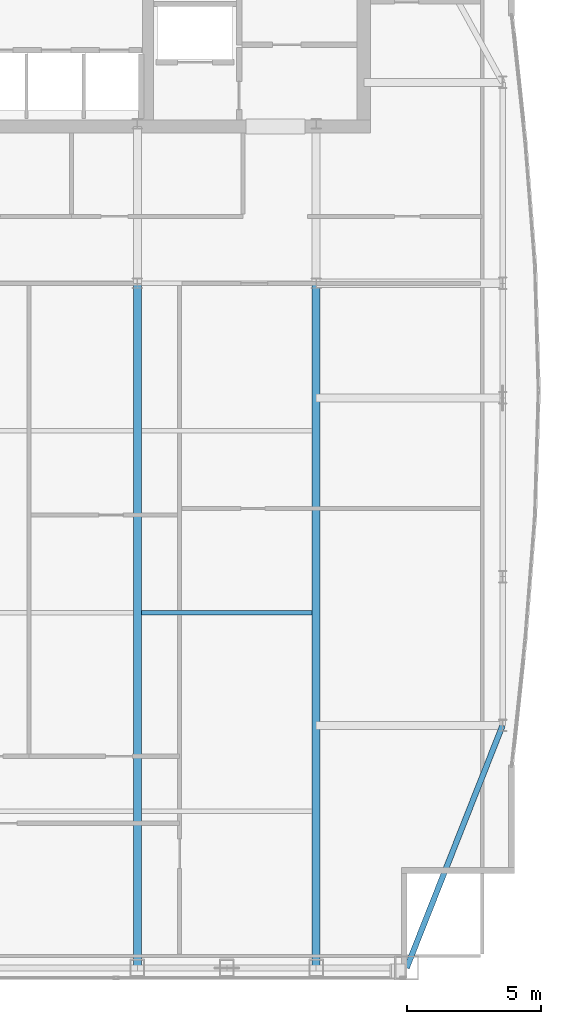
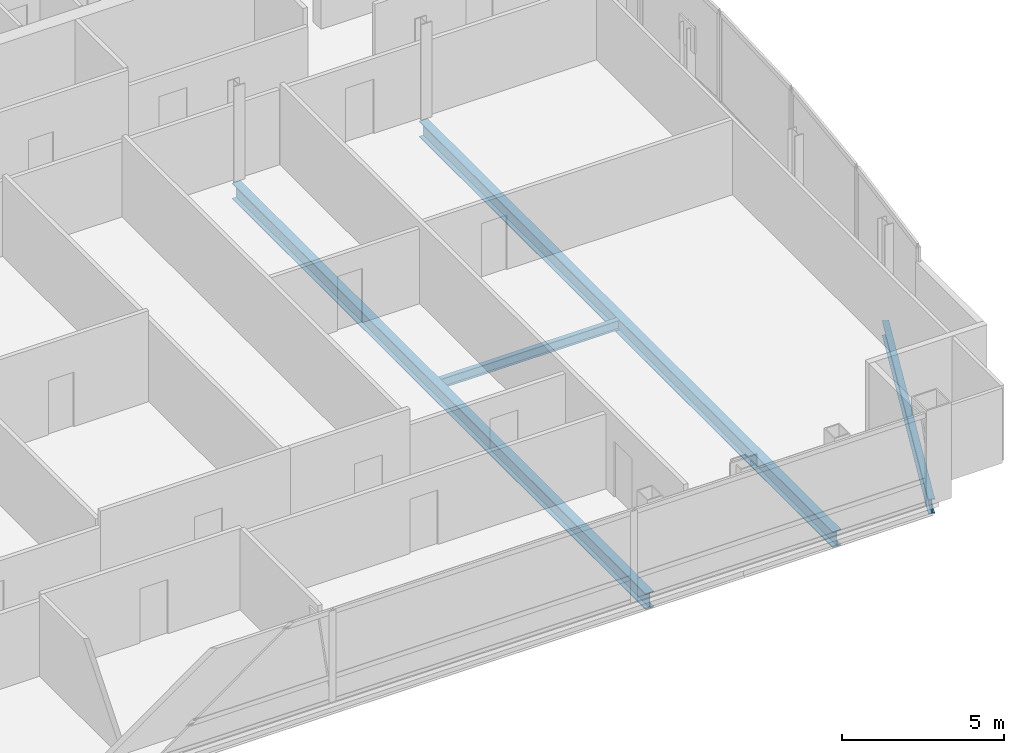
# One storey, part 14 of 27: 4 beams.
"""IFC4 building model written with IfcOpenShell, lengths in metres."""

from ifc_helpers import new_model, si_unit, direction, frame, origin, origin_2d, place, context, subcontext, project, spatial, i_section, extrude, material, material_profile, profile_set, type_object, element, save


model = new_model("IFC4")

# Units and contexts
model_context = context("Model", 3, precision=1e-05, world=origin(), true_north=direction((0.0, 1.0)))
body_context = subcontext(model_context, "Body", "Model", "MODEL_VIEW")
ifc_project = project(units=[si_unit("LENGTHUNIT", "METRE"), si_unit("AREAUNIT", "SQUARE_METRE"), si_unit("VOLUMEUNIT", "CUBIC_METRE"), si_unit("PLANEANGLEUNIT", "RADIAN"), si_unit("MASSUNIT", "GRAM", prefix="KILO")], contexts=[model_context])

# Site, building, storey
site_placement = place(None, origin())
site = spatial("IfcSite", under=ifc_project, at=site_placement, CompositionType="ELEMENT")
building_placement = place(site_placement, origin())
building = spatial("IfcBuilding", under=site, at=building_placement, Name="Khoronbel Lancet Exchange", CompositionType="ELEMENT")
storey_placement = place(building_placement, frame((0.0, 0.0, 343.39990234375)))
storey = spatial("IfcBuildingStorey", under=building, at=storey_placement, Name="L89", CompositionType="ELEMENT", Elevation=343.39990234375)

# Beams
ifc_material = material(Name="Steel S355", Category="steel")
ifc_material_profile_1 = material_profile(ifc_material, i_section(OverallWidth=0.300048828125, OverallDepth=0.60009765625, WebThickness=0.015380859375, FlangeThickness=0.030029296875, at=origin_2d()), Name="HEB 600")
ifc_profile_set_1 = profile_set([ifc_material_profile_1], Name="Steel S355")
beam_type_1 = type_object("IfcBeamType", Name="BM-BG5", PredefinedType="BEAM", material=ifc_profile_set_1)
for number, where, z_axis, x_axis, name in (
    (1, (48.0, 10.14990234375, -0.4599609375), (0.0, 1.0, 0.0), (-1.0, 0.0, 0.0), "Level L89 south primary girder GS5"),
    (2, (54.675048828125, 10.14990234375, -0.4599609375), (0.0, 1.0, 0.0), (-1.0, 0.0, 0.0), "Level L89 south primary girder GS6"),
):
    element("IfcBeam", number, at=place(storey_placement, frame(where, z_axis=z_axis, x_axis=x_axis)), inside=storey, type_object=beam_type_1, Name=name, PredefinedType="BEAM", context=body_context, shape_type="SweptSolid", body=[
        extrude(i_section(OverallWidth=0.300048828125, OverallDepth=0.60009765625, WebThickness=0.015380859375, FlangeThickness=0.030029296875, at=origin_2d()), origin(), (0.0, 0.0, 1.0), 25.550048828125),
    ])
ifc_material_profile_2 = material_profile(ifc_material, i_section(OverallWidth=0.169921875, OverallDepth=0.360107421875, WebThickness=0.008056640625, FlangeThickness=0.0126953125, at=origin_2d()), Name="IPE 360")
ifc_profile_set_2 = profile_set([ifc_material_profile_2], Name="Steel S355")
beam_type_2 = type_object("IfcBeamType", Name="BM-BJ6", PredefinedType="JOIST", material=ifc_profile_set_2)
beam_1_placement = place(storey_placement, frame((48.14990234375, 23.39990234375, -0.33984375), z_axis=(1.0, 0.0, 0.0), x_axis=(0.0, 1.0, 0.0)))
element("IfcBeam", 3, at=beam_1_placement, inside=storey, type_object=beam_type_2, Name="Level L89 secondary composite joist J06", PredefinedType="JOIST", context=body_context, shape_type="SweptSolid", body=[
    extrude(i_section(OverallWidth=0.169921875, OverallDepth=0.360107421875, WebThickness=0.008056640625, FlangeThickness=0.0126953125, at=origin_2d()), origin(), (0.0, 0.0, 1.0), 6.375),
])
ifc_material_profile_3 = material_profile(ifc_material, i_section(OverallWidth=0.2099609375, OverallDepth=0.550048828125, WebThickness=0.010986328125, FlangeThickness=0.01708984375, at=origin_2d()), Name="IPE 550")
ifc_profile_set_3 = profile_set([ifc_material_profile_3], Name="Steel S355")
beam_type_3 = type_object("IfcBeamType", Name="BM-BSP3", PredefinedType="SPANDREL", material=ifc_profile_set_3)
beam_2_placement = place(storey_placement, frame((58.050048828125, 10.14990234375, -0.434814453125), z_axis=(0.367828403855, 0.929893684954, 0.0), x_axis=(-0.929893684954, 0.367828403855, 0.0)))
element("IfcBeam", 4, at=beam_2_placement, inside=storey, type_object=beam_type_3, Name="Level L89 perimeter spandrel beam SP08", PredefinedType="SPANDREL", context=body_context, shape_type="SweptSolid", body=[
    extrude(i_section(OverallWidth=0.2099609375, OverallDepth=0.550048828125, WebThickness=0.010986328125, FlangeThickness=0.01708984375, at=origin_2d()), origin(), (0.0, 0.0, 1.0), 9.732421875),
])

save(model, "model.ifc")
